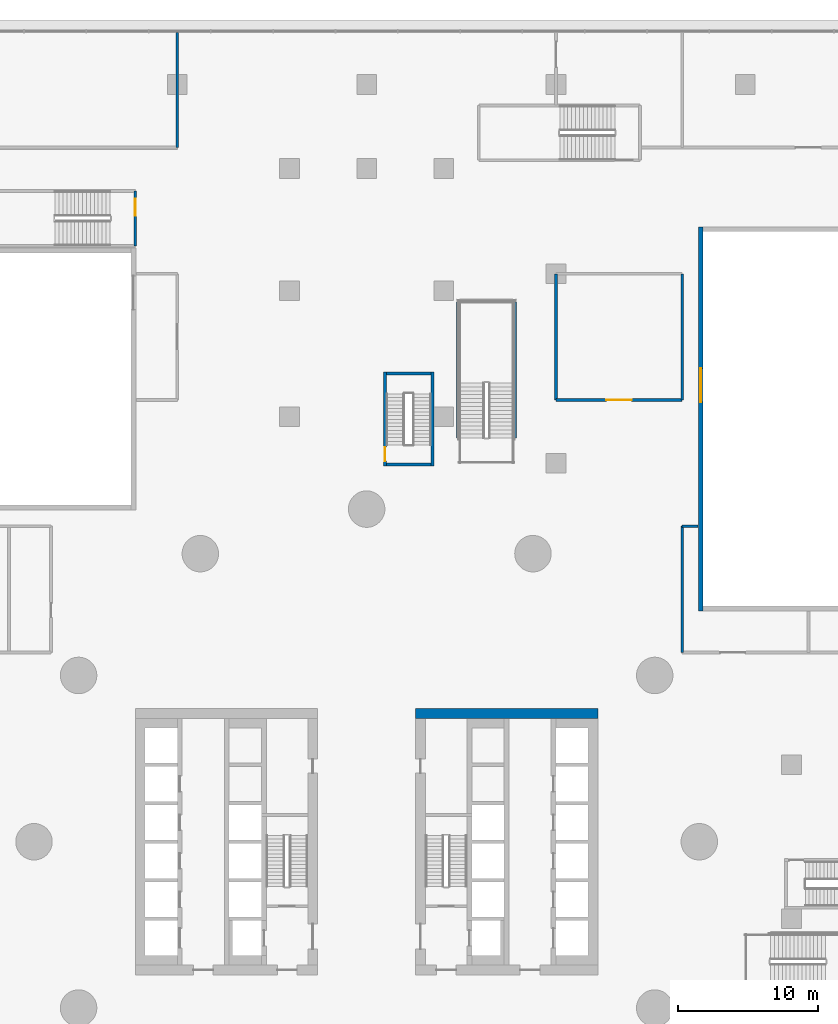
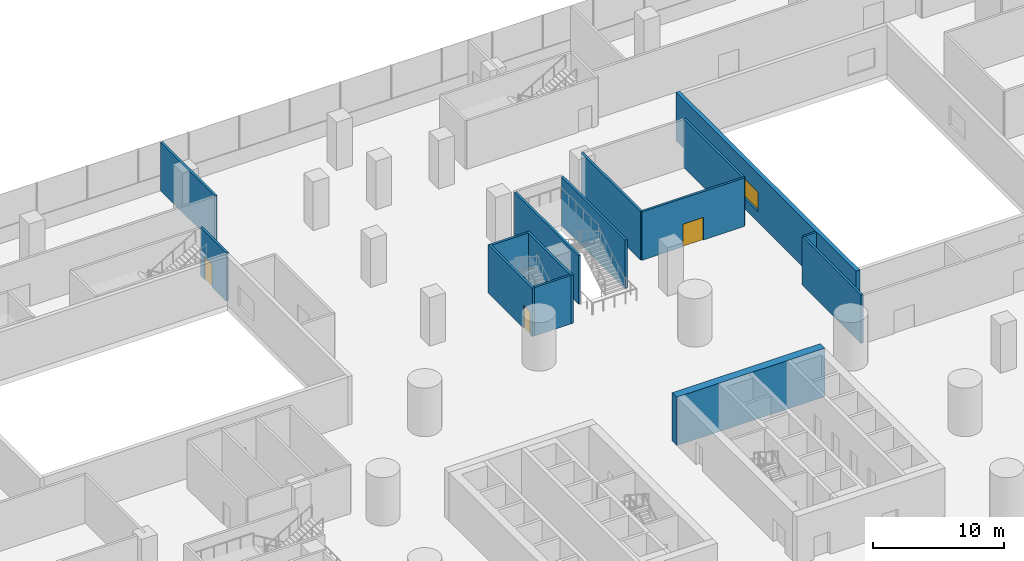
# One storey, part 29 of 44: 15 walls, 3 doors, 1 window, 4 openings.
"""IFC4 building model written with IfcOpenShell, lengths in metres."""

from ifc_helpers import new_model, si_unit, direction, frame, frame_2d, origin, place, context, subcontext, project, spatial, polyline, rectangle, outline, extrude, material, layer, layer_set, type_object, element, fill, save


model = new_model("IFC4")

# Units and contexts
model_context = context("Model", 3, precision=1e-05, world=origin(), true_north=direction((0.0, 1.0)))
body_context = subcontext(model_context, "Body", "Model", "MODEL_VIEW")
ifc_project = project(units=[si_unit("LENGTHUNIT", "METRE"), si_unit("AREAUNIT", "SQUARE_METRE"), si_unit("VOLUMEUNIT", "CUBIC_METRE"), si_unit("PLANEANGLEUNIT", "RADIAN"), si_unit("MASSUNIT", "GRAM", prefix="KILO")], contexts=[model_context])

# Site, building, storey
site_placement = place(None, origin())
site = spatial("IfcSite", under=ifc_project, at=site_placement, CompositionType="ELEMENT")
building_placement = place(site_placement, origin())
building = spatial("IfcBuilding", under=site, at=building_placement, Name="Tamarind Cross Interchange Tower", CompositionType="ELEMENT")
storey_placement = place(building_placement, frame((0.0, 0.0, 15.0)))
storey = spatial("IfcBuildingStorey", under=building, at=storey_placement, Name="L02", CompositionType="ELEMENT", Elevation=15.0)

# Walls
ifc_material_1 = material(Name="Concrete C80", Category="concrete")
ifc_layer_1 = layer(ifc_material_1, 0.699951171875)
ifc_layer_set_1 = layer_set([ifc_layer_1], Name="Concrete C80")
wall_type_1 = type_object("IfcWallType", Name="Core wall 700 mm Concrete C80", PredefinedType="SHEAR", material=ifc_layer_set_1)
wall_1_placement = place(storey_placement, frame((16.5, 9.14990234375, 0.0), z_axis=(0.0, 0.0, 1.0), x_axis=(-1.0, 0.0, 0.0)))
element("IfcWall", 1, at=wall_1_placement, inside=storey, type_object=wall_type_1, Name="Core wall CWL-L02-E-NE", PredefinedType="SHEAR", context=body_context, shape_type="SweptSolid", body=[
    extrude(rectangle(XDim=13.0, YDim=0.699951171875, at=frame_2d((6.5, 0.0))), origin(), (0.0, 0.0, 1.0), 4.5),
])
ifc_material_2 = material(Name="Masonry partition, fire-rated", Category="masonry")
ifc_layer_2 = layer(ifc_material_2, 0.199951171875)
ifc_layer_set_2 = layer_set([ifc_layer_2], Name="Masonry partition, fire-rated")
wall_type_2 = type_object("IfcWallType", Name="Fire partition 200 EI 120", PredefinedType="PARTITIONING", material=ifc_layer_set_2)
wall_2_placement = place(storey_placement, frame((-13.5, 49.5, 0.0), z_axis=(0.0, 0.0, 1.0), x_axis=(0.0, 1.0, 0.0)))
element("IfcWall", 2, at=wall_2_placement, inside=storey, type_object=wall_type_2, Name="L02 partition 68", PredefinedType="PARTITIONING", context=body_context, shape_type="SweptSolid", body=[
    extrude(rectangle(XDim=8.198974609375, YDim=0.199951171875, at=frame_2d((4.099609375, 0.0))), origin(), (0.0, 0.0, 1.0), 4.5),
])
wall_3_placement = place(storey_placement, frame((22.5, 13.5, 0.0), z_axis=(0.0, 0.0, 1.0), x_axis=(0.0, 1.0, 0.0)))
element("IfcWall", 3, at=wall_3_placement, inside=storey, type_object=wall_type_2, Name="L02 partition 96", PredefinedType="PARTITIONING", context=body_context, shape_type="SweptSolid", body=[
    extrude(rectangle(XDim=9.0, YDim=0.199951171875, at=frame_2d((4.5, 0.0))), origin(), (0.0, 0.0, 1.0), 4.5),
])
wall_4_placement = place(storey_placement, frame((22.5, 22.5, 0.0), z_axis=(0.0, 0.0, 1.0), x_axis=(1.0, 0.0, 0.0)))
element("IfcWall", 4, at=wall_4_placement, inside=storey, type_object=wall_type_2, Name="L02 partition 97", PredefinedType="PARTITIONING", context=body_context, shape_type="SweptSolid", body=[
    extrude(rectangle(XDim=1.1201171875, YDim=0.199951171875, at=frame_2d((0.56005859375, 0.0))), origin(), (0.0, 0.0, 1.0), 4.5),
])
wall_5_placement = place(storey_placement, frame((22.5, 31.5, 0.0), z_axis=(0.0, 0.0, 1.0), x_axis=(0.0, 1.0, 0.0)))
element("IfcWall", 5, at=wall_5_placement, inside=storey, type_object=wall_type_2, Name="L02 partition 123", PredefinedType="PARTITIONING", context=body_context, shape_type="SweptSolid", body=[
    extrude(rectangle(XDim=9.0, YDim=0.199951171875, at=frame_2d((4.5, 0.0))), origin(), (0.0, 0.0, 1.0), 4.5),
])

# Wall, opening, door
wall_6_placement = place(storey_placement, frame((13.5, 31.5, 0.0), z_axis=(0.0, 0.0, 1.0), x_axis=(1.0, 0.0, 0.0)))
wall_6 = element("IfcWall", 6, at=wall_6_placement, inside=storey, type_object=wall_type_2, Name="L02 partition 124", PredefinedType="PARTITIONING", context=body_context, shape_type="SweptSolid", body=[
    extrude(rectangle(XDim=9.0, YDim=0.199951171875, at=frame_2d((4.5, 0.0))), origin(), (0.0, 0.0, 1.0), 4.5),
])
opening_1_placement = place(wall_6_placement, frame((3.590087890625, 0.0, 0.0)))
opening_1 = element("IfcOpeningElement", 7, at=opening_1_placement, cuts=wall_6, Name="Opening DL02-17", PredefinedType="OPENING", context=body_context, shape_type="SweptSolid", body=[
    extrude(rectangle(XDim=1.800048828125, YDim=2.10009765625, at=frame_2d((0.89990234375, 1.050048828125))), frame((0.0, 0.10986328125, 0.0), z_axis=(0.0, -1.0, 0.0), x_axis=(1.0, 0.0, 0.0)), (0.0, 0.0, 1.0), 0.219970703125),
])
ifc_material_3 = material(Name="Steel, fire-resisting", Category="steel")
door_type_1 = type_object("IfcDoorType", Name="Podium door 1800 x 2100 FD60", OperationType="SINGLE_SWING_LEFT", PredefinedType="DOOR", material=ifc_material_3)
door_1_placement = place(opening_1_placement, origin())
door_1 = element("IfcDoor", 8, at=door_1_placement, inside=storey, type_object=door_type_1, Name="L02 door Tea House 0205", OperationType="SINGLE_SWING_LEFT", OverallHeight=2.10009765625, OverallWidth=1.800048828125, PredefinedType="DOOR", context=body_context, shape_type="SweptSolid", body=[
    extrude(rectangle(XDim=1.800048828125, YDim=2.10009765625, at=frame_2d((0.89990234375, 1.050048828125))), frame((0.0, 0.02490234375, 0.0), z_axis=(0.0, -1.0, 0.0), x_axis=(1.0, 0.0, 0.0)), (0.0, 0.0, 1.0), 0.050048828125),
])
fill(opening_1, door_1)

# Wall
wall_7_placement = place(storey_placement, frame((13.5, 31.5, 0.0), z_axis=(0.0, 0.0, 1.0), x_axis=(0.0, 1.0, 0.0)))
element("IfcWall", 9, at=wall_7_placement, inside=storey, type_object=wall_type_2, Name="L02 partition 125", PredefinedType="PARTITIONING", context=body_context, shape_type="SweptSolid", body=[
    extrude(rectangle(XDim=9.0, YDim=0.199951171875, at=frame_2d((4.5, 0.0))), origin(), (0.0, 0.0, 1.0), 4.5),
])

# Wall, opening, window
ifc_material_4 = material(Name="Precast concrete C40", Category="concrete")
ifc_layer_3 = layer(ifc_material_4, 0.35009765625)
ifc_layer_set_3 = layer_set([ifc_layer_3], Name="Precast concrete C40")
wall_type_3 = type_object("IfcWallType", Name="Podium facade wall", PredefinedType="SOLIDWALL", material=ifc_layer_set_3)
wall_8_placement = place(storey_placement, frame((23.824951171875, 16.449951171875, 0.0), z_axis=(0.0, 0.0, 1.0), x_axis=(0.0, 1.0, 0.0)))
wall_8 = element("IfcWall", 10, at=wall_8_placement, inside=storey, type_object=wall_type_3, Name="CTW-L02-NEW00", PredefinedType="SOLIDWALL", context=body_context, shape_type="SweptSolid", body=[
    extrude(rectangle(XDim=27.400146484375, YDim=0.35009765625, at=frame_2d((13.7001953125, 0.0))), origin(), (0.0, 0.0, 1.0), 4.5),
])
opening_2_placement = place(wall_8_placement, frame((14.89990234375, 0.0, 1.0)))
opening_2 = element("IfcOpeningElement", 11, at=opening_2_placement, cuts=wall_8, Name="Opening W4", PredefinedType="OPENING", context=body_context, shape_type="SweptSolid", body=[
    extrude(rectangle(XDim=2.39990234375, YDim=1.800048828125, at=frame_2d((1.199951171875, 0.89990234375))), frame((0.0, 0.18505859375, 0.0), z_axis=(0.0, -1.0, 0.0), x_axis=(1.0, 0.0, 0.0)), (0.0, 0.0, 1.0), 0.3701171875),
])
ifc_material_5 = material(Name="Aluminium and toughened glass", Category="aluminium")
window_type = type_object("IfcWindowType", Name="Podium daylight window", PartitioningType="SINGLE_PANEL", PredefinedType="WINDOW", material=ifc_material_5)
window_placement = place(opening_2_placement, origin())
window = element("IfcWindow", 12, at=window_placement, inside=storey, type_object=window_type, Name="CTX-L02-NEW-01-00", OverallHeight=1.800048828125, OverallWidth=2.39990234375, PartitioningType="SINGLE_PANEL", PredefinedType="WINDOW", context=body_context, shape_type="SweptSolid", body=[
    extrude(rectangle(XDim=2.39990234375, YDim=1.800048828125, at=frame_2d((1.199951171875, 0.89990234375))), frame((0.0, 0.030029296875, 0.0), z_axis=(0.0, -1.0, 0.0), x_axis=(1.0, 0.0, 0.0)), (0.0, 0.0, 1.0), 0.06005859375),
])
fill(opening_2, window)

# Walls
ifc_material_6 = material(Name="Concrete C40", Category="concrete")
ifc_layer_4 = layer(ifc_material_6, 0.199951171875)
ifc_layer_set_4 = layer_set([ifc_layer_4], Name="Concrete C40")
wall_type_4 = type_object("IfcWallType", Name="Stair shaft wall 200", PredefinedType="SOLIDWALL", material=ifc_layer_set_4)
for number, where, z_axis, x_axis, name in (
    (13, (10.60009765625, 28.800048828125, 0.0), (0.0, 0.0, 1.0), (0.0, 1.0, 0.0), "public stair PS-N shaft wall L"),
    (14, (6.5, 28.800048828125, 0.0), (0.0, 0.0, 1.0), (0.0, 1.0, 0.0), "public stair PS-N shaft wall R"),
):
    element("IfcWall", number, at=place(storey_placement, frame(where, z_axis=z_axis, x_axis=x_axis)), inside=storey, type_object=wall_type_4, Name=name, PredefinedType="SOLIDWALL", context=body_context, shape_type="SweptSolid", body=[
        extrude(rectangle(XDim=9.699951171875, YDim=0.199951171875, at=frame_2d((4.85009765625, 0.0))), origin(), (0.0, 0.0, 1.0), 4.5),
    ])

# Wall, opening, door
ifc_layer_5 = layer(ifc_material_6, 0.199951171875)
ifc_layer_set_5 = layer_set([ifc_layer_5], Name="Concrete C40")
wall_type_5 = type_object("IfcWallType", Name="Stair shaft wall 200 EI 180", PredefinedType="PARTITIONING", material=ifc_layer_set_5)
wall_9_placement = place(storey_placement, frame((-16.5, 42.5, 0.0), z_axis=(0.0, 0.0, 1.0), x_axis=(0.0, 1.0, 0.0)))
wall_9 = element("IfcWall", 15, at=wall_9_placement, inside=storey, type_object=wall_type_5, Name="L02 stair shaft wall 24", PredefinedType="PARTITIONING", context=body_context, shape_type="SweptSolid", body=[
    extrude(rectangle(XDim=3.89990234375, YDim=0.199951171875, at=frame_2d((1.949951171875, 0.0))), origin(), (0.0, 0.0, 1.0), 4.5),
])
opening_3_placement = place(wall_9_placement, frame((2.14990234375, 0.0, 0.0)))
opening_3 = element("IfcOpeningElement", 16, at=opening_3_placement, cuts=wall_9, Name="Opening DL02-06", PredefinedType="OPENING", context=body_context, shape_type="SweptSolid", body=[
    extrude(rectangle(XDim=1.199951171875, YDim=2.10009765625, at=frame_2d((0.60009765625, 1.050048828125))), frame((0.0, 0.10986328125, 0.0), z_axis=(0.0, -1.0, 0.0), x_axis=(1.0, 0.0, 0.0)), (0.0, 0.0, 1.0), 0.219970703125),
])
door_type_2 = type_object("IfcDoorType", Name="Podium door 1200 x 2100 FD90", OperationType="SINGLE_SWING_LEFT", PredefinedType="DOOR", material=ifc_material_3)
door_2_placement = place(opening_3_placement, origin())
door_2 = element("IfcDoor", 17, at=door_2_placement, inside=storey, type_object=door_type_2, Name="L02 door Exit Stair PX6", OperationType="SINGLE_SWING_RIGHT", OverallHeight=2.10009765625, OverallWidth=1.199951171875, PredefinedType="DOOR", context=body_context, shape_type="SweptSolid", body=[
    extrude(rectangle(XDim=1.199951171875, YDim=2.10009765625, at=frame_2d((0.60009765625, 1.050048828125))), frame((0.0, 0.02490234375, 0.0), z_axis=(0.0, -1.0, 0.0), x_axis=(1.0, 0.0, 0.0)), (0.0, 0.0, 1.0), 0.050048828125),
])
fill(opening_3, door_2)

ifc_layer_6 = layer(ifc_material_6, 0.199951171875)
ifc_layer_set_6 = layer_set([ifc_layer_6], Name="Concrete C40")
wall_type_6 = type_object("IfcWallType", Name="Stair shaft wall 200 mm Concrete C40", PredefinedType="SHEAR", material=ifc_layer_set_6)
wall_10_placement = place(storey_placement, frame((1.300048828125, 26.800048828125, 0.0), z_axis=(0.0, 0.0, 1.0), x_axis=(0.0, 1.0, 0.0)))
wall_10 = element("IfcWall", 18, at=wall_10_placement, inside=storey, type_object=wall_type_6, Name="Core wall CWL-L02-ST4-H", PredefinedType="SHEAR", context=body_context, shape_type="SweptSolid", body=[
    extrude(rectangle(XDim=6.699951171875, YDim=0.199951171875, at=frame_2d((3.35009765625, 0.0))), origin(), (0.0, 0.0, 1.0), 4.5),
])
opening_4_placement = place(wall_10_placement, frame((0.35009765625, 0.0, 0.0)))
opening_4 = element("IfcOpeningElement", 19, at=opening_4_placement, cuts=wall_10, Name="Opening ST4L02", PredefinedType="OPENING", context=body_context, shape_type="SweptSolid", body=[
    extrude(rectangle(XDim=1.0, YDim=2.10009765625, at=frame_2d((0.5, 1.050048828125))), frame((0.0, 0.10986328125, 0.0), z_axis=(0.0, -1.0, 0.0), x_axis=(1.0, 0.0, 0.0)), (0.0, 0.0, 1.0), 0.219970703125),
])
door_type_3 = type_object("IfcDoorType", Name="Core fire door 1000 x 2100 FD90", OperationType="SINGLE_SWING_LEFT", PredefinedType="DOOR", material=ifc_material_3)
door_3_placement = place(opening_4_placement, origin())
door_3 = element("IfcDoor", 20, at=door_3_placement, inside=storey, type_object=door_type_3, Name="L02 stair door ST4", OperationType="SINGLE_SWING_LEFT", OverallHeight=2.10009765625, OverallWidth=1.0, PredefinedType="DOOR", context=body_context, shape_type="SweptSolid", body=[
    extrude(rectangle(XDim=1.0, YDim=2.10009765625, at=frame_2d((0.5, 1.050048828125))), frame((0.0, 0.02490234375, 0.0), z_axis=(0.0, -1.0, 0.0), x_axis=(1.0, 0.0, 0.0)), (0.0, 0.0, 1.0), 0.050048828125),
])
fill(opening_4, door_3)

# Walls
wall_11_placement = place(storey_placement, frame((4.699951171875, 26.800048828125, 0.0), z_axis=(0.0, 0.0, 1.0), x_axis=(0.0, 1.0, 0.0)))
element("IfcWall", 21, at=wall_11_placement, inside=storey, type_object=wall_type_6, Name="Core wall CWL-L02-ST4-C", PredefinedType="SHEAR", context=body_context, shape_type="SweptSolid", body=[
    extrude(rectangle(XDim=6.699951171875, YDim=0.199951171875, at=frame_2d((3.35009765625, 0.0))), origin(), (0.0, 0.0, 1.0), 4.5),
])
wall_12_placement = place(storey_placement, frame((4.60009765625, 26.89990234375, 0.0), z_axis=(0.0, 0.0, 1.0), x_axis=(-1.0, 0.0, 0.0)))
element("IfcWall", 22, at=wall_12_placement, inside=storey, type_object=wall_type_6, Name="Core wall CWL-L02-ST4-CE", PredefinedType="SHEAR", context=body_context, shape_type="SweptSolid", body=[
    extrude(rectangle(XDim=3.2001953125, YDim=0.199951171875, at=frame_2d((1.60009765625, 0.0))), origin(), (0.0, 0.0, 1.0), 4.5),
])
wall_13_placement = place(storey_placement, origin())
element("IfcWall", 23, at=wall_13_placement, inside=storey, type_object=wall_type_6, Name="Core wall CWL-L02-ST4-CF", PredefinedType="SHEAR", context=body_context, shape_type="SweptSolid", body=[
    extrude(outline(polyline([(4.60009765625, 33.300048828125), (4.60009765625, 33.5), (1.39990234375, 33.5), (1.39990234375, 33.300048828125), (4.60009765625, 33.300048828125)])), origin(), (0.0, 0.0, 1.0), 4.5),
])

save(model, "model.ifc")
